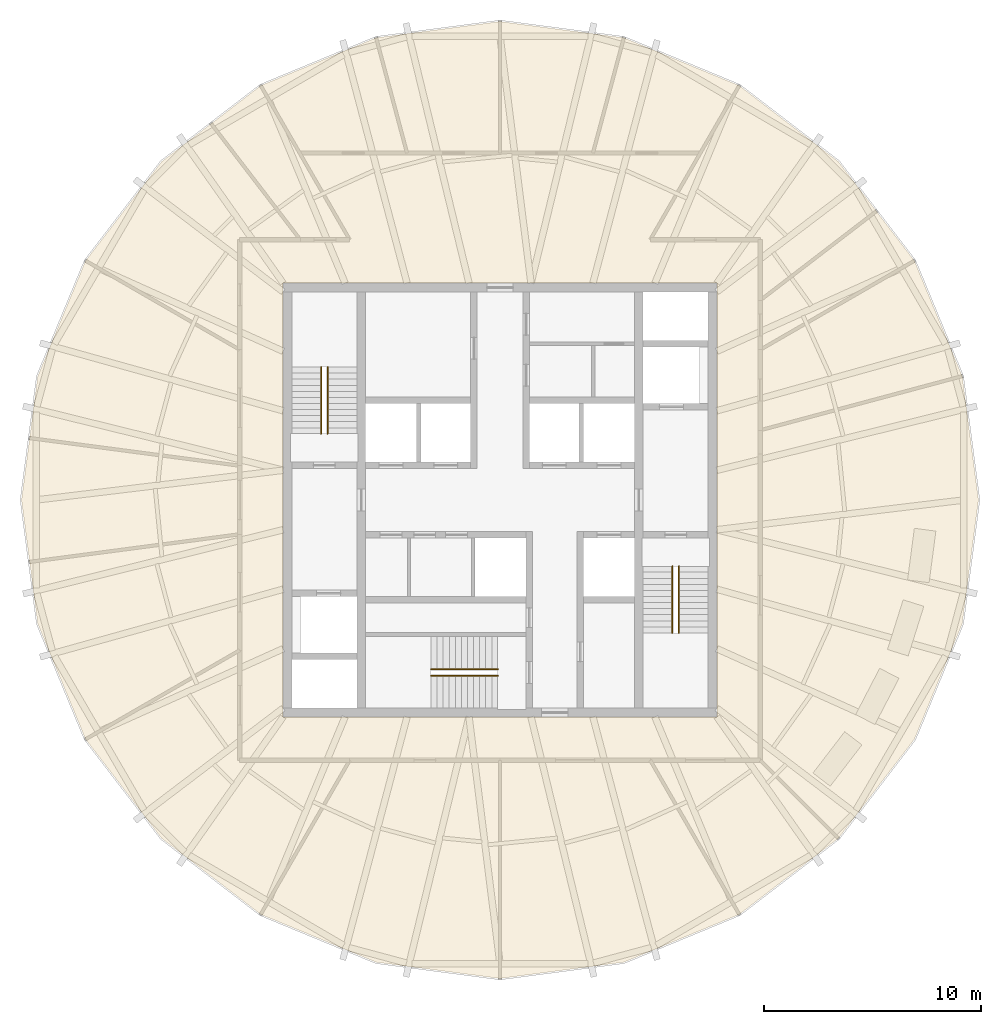
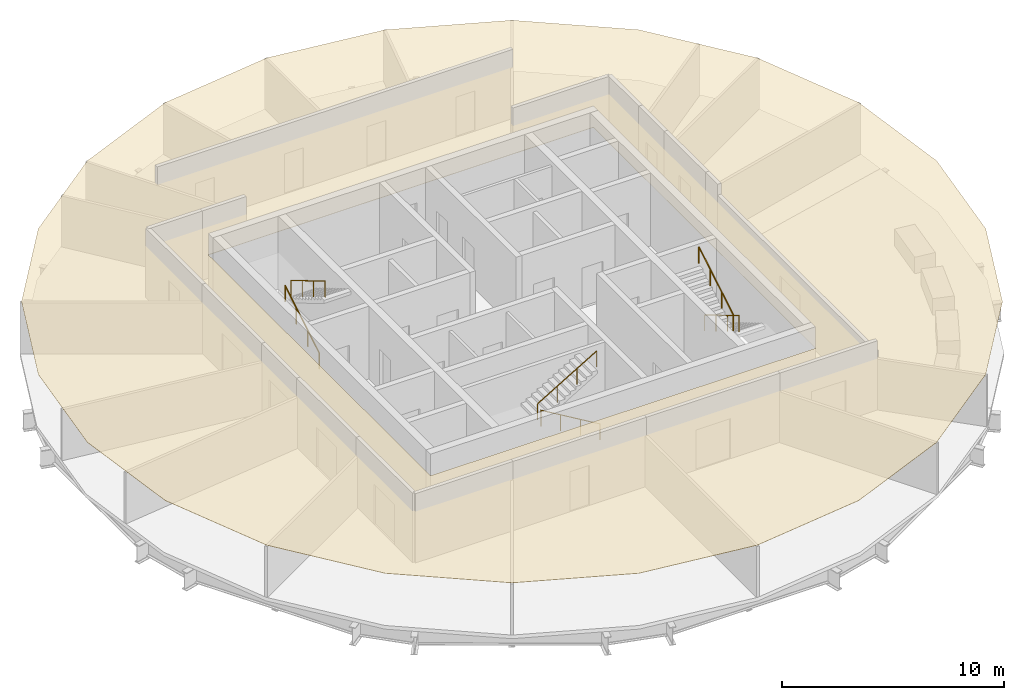
# One storey, part 6 of 7: 6 railings, 1 covering.
"""IFC4 building model written with IfcOpenShell, lengths in metres."""

from ifc_helpers import new_model, si_unit, direction, frame, origin, origin_2d, place, context, subcontext, project, spatial, polyline, circle, outline, extrude, material, layer, layer_set, type_object, element, save


model = new_model("IFC4")

# Units and contexts
model_context = context("Model", 3, precision=1e-05, world=origin(), true_north=direction((0.0, 1.0)))
body_context = subcontext(model_context, "Body", "Model", "MODEL_VIEW")
ifc_project = project(units=[si_unit("LENGTHUNIT", "METRE"), si_unit("AREAUNIT", "SQUARE_METRE"), si_unit("VOLUMEUNIT", "CUBIC_METRE"), si_unit("PLANEANGLEUNIT", "RADIAN"), si_unit("MASSUNIT", "GRAM", prefix="KILO")], contexts=[model_context])

# Site, building, storey
site_placement = place(None, origin())
site = spatial("IfcSite", under=ifc_project, at=site_placement, CompositionType="ELEMENT")
building_placement = place(site_placement, origin())
building = spatial("IfcBuilding", under=site, at=building_placement, Name="Golbaran Civic Tower", CompositionType="ELEMENT")
storey_placement = place(building_placement, frame((0.0, 0.0, 260.0)))
storey = spatial("IfcBuildingStorey", under=building, at=storey_placement, Name="L63", CompositionType="ELEMENT", Elevation=260.0)

# Railings
ifc_material_1 = material(Name="Stainless steel", Category="steel")
railing_type = type_object("IfcRailingType", Name="STAIR HANDRAIL 900", PredefinedType="HANDRAIL", material=ifc_material_1)
railing_1_placement = place(storey_placement, frame((-8.25, 3.050048828125, 0.166748046875)))
element("IfcRailing", 1, at=railing_1_placement, inside=storey, type_object=railing_type, Name="Stair S1 handrail flight 1 L63", PredefinedType="HANDRAIL", context=body_context, shape_type="SweptSolid", body=[
    extrude(circle(Radius=0.02392578125, at=origin_2d()), frame((0.0, 0.0, 0.8759765625), z_axis=(0.0, 0.859290745958, 0.51148745235), x_axis=(-1.0, 0.0, 0.0)), (0.0, 0.0, 1.0), 3.584228515625),
    extrude(circle(Radius=0.02099609375, at=origin_2d()), origin(), (0.0, 0.0, 1.0), 0.851806640625),
    extrude(circle(Radius=0.02099609375, at=origin_2d()), frame((0.0, 1.026611328125, 0.611083984375)), (0.0, 0.0, 1.0), 0.851806640625),
    extrude(circle(Radius=0.02099609375, at=origin_2d()), frame((0.0, 2.05322265625, 1.22216796875)), (0.0, 0.0, 1.0), 0.851806640625),
    extrude(circle(Radius=0.02099609375, at=origin_2d()), frame((0.0, 3.079833984375, 1.833251953125)), (0.0, 0.0, 1.0), 0.851806640625),
])
for number, where, name in (
    (2, (-7.949951171875, 6.1298828125, 2.166748046875), "Stair S1 handrail flight 2 L63"),
    (3, (8.25, -3.050048828125, 0.166748046875), "Stair S2 handrail flight 1 L63"),
):
    element("IfcRailing", number, at=place(storey_placement, frame(where)), inside=storey, type_object=railing_type, Name=name, PredefinedType="HANDRAIL", context=body_context, shape_type="SweptSolid", body=[
        extrude(circle(Radius=0.02392578125, at=origin_2d()), frame((0.0, 0.0, 0.8759765625), z_axis=(0.0, -0.859290745958, 0.51148745235), x_axis=(1.0, 0.0, 0.0)), (0.0, 0.0, 1.0), 3.584228515625),
        extrude(circle(Radius=0.02099609375, at=origin_2d()), origin(), (0.0, 0.0, 1.0), 0.851806640625),
        extrude(circle(Radius=0.02099609375, at=origin_2d()), frame((0.0, -1.026611328125, 0.611083984375)), (0.0, 0.0, 1.0), 0.851806640625),
        extrude(circle(Radius=0.02099609375, at=origin_2d()), frame((0.0, -2.05322265625, 1.22216796875)), (0.0, 0.0, 1.0), 0.851806640625),
        extrude(circle(Radius=0.02099609375, at=origin_2d()), frame((0.0, -3.079833984375, 1.833251953125)), (0.0, 0.0, 1.0), 0.851806640625),
    ])
railing_2_placement = place(storey_placement, frame((7.949951171875, -6.1298828125, 2.166748046875)))
element("IfcRailing", 4, at=railing_2_placement, inside=storey, type_object=railing_type, Name="Stair S2 handrail flight 2 L63", PredefinedType="HANDRAIL", context=body_context, shape_type="SweptSolid", body=[
    extrude(circle(Radius=0.02392578125, at=origin_2d()), frame((0.0, 0.0, 0.8759765625), z_axis=(0.0, 0.859290745958, 0.51148745235), x_axis=(-1.0, 0.0, 0.0)), (0.0, 0.0, 1.0), 3.584228515625),
    extrude(circle(Radius=0.02099609375, at=origin_2d()), origin(), (0.0, 0.0, 1.0), 0.851806640625),
    extrude(circle(Radius=0.02099609375, at=origin_2d()), frame((0.0, 1.026611328125, 0.611083984375)), (0.0, 0.0, 1.0), 0.851806640625),
    extrude(circle(Radius=0.02099609375, at=origin_2d()), frame((0.0, 2.05322265625, 1.22216796875)), (0.0, 0.0, 1.0), 0.851806640625),
    extrude(circle(Radius=0.02099609375, at=origin_2d()), frame((0.0, 3.079833984375, 1.833251953125)), (0.0, 0.0, 1.0), 0.851806640625),
])
railing_3_placement = place(storey_placement, frame((-0.10009765625, -8.10009765625, 0.166748046875)))
element("IfcRailing", 5, at=railing_3_placement, inside=storey, type_object=railing_type, Name="Stair S3 handrail flight 1 L63", PredefinedType="HANDRAIL", context=body_context, shape_type="SweptSolid", body=[
    extrude(circle(Radius=0.02392578125, at=origin_2d()), frame((0.0, 0.0, 0.8759765625), z_axis=(-0.859290745958, 0.0, 0.51148745235), x_axis=(0.0, -1.0, 0.0)), (0.0, 0.0, 1.0), 3.584228515625),
    extrude(circle(Radius=0.02099609375, at=origin_2d()), origin(), (0.0, 0.0, 1.0), 0.851806640625),
    extrude(circle(Radius=0.02099609375, at=origin_2d()), frame((-1.026611328125, 0.0, 0.611083984375)), (0.0, 0.0, 1.0), 0.851806640625),
    extrude(circle(Radius=0.02099609375, at=origin_2d()), frame((-2.05322265625, 0.0, 1.22216796875)), (0.0, 0.0, 1.0), 0.851806640625),
    extrude(circle(Radius=0.02099609375, at=origin_2d()), frame((-3.079833984375, 0.0, 1.833251953125)), (0.0, 0.0, 1.0), 0.851806640625),
])
railing_4_placement = place(storey_placement, frame((-3.179931640625, -7.800048828125, 2.166748046875)))
element("IfcRailing", 6, at=railing_4_placement, inside=storey, type_object=railing_type, Name="Stair S3 handrail flight 2 L63", PredefinedType="HANDRAIL", context=body_context, shape_type="SweptSolid", body=[
    extrude(circle(Radius=0.02392578125, at=origin_2d()), frame((0.0, 0.0, 0.8759765625), z_axis=(0.859290745958, 0.0, 0.51148745235), x_axis=(0.0, 1.0, 0.0)), (0.0, 0.0, 1.0), 3.584228515625),
    extrude(circle(Radius=0.02099609375, at=origin_2d()), origin(), (0.0, 0.0, 1.0), 0.851806640625),
    extrude(circle(Radius=0.02099609375, at=origin_2d()), frame((1.026611328125, 0.0, 0.611083984375)), (0.0, 0.0, 1.0), 0.851806640625),
    extrude(circle(Radius=0.02099609375, at=origin_2d()), frame((2.05322265625, 0.0, 1.22216796875)), (0.0, 0.0, 1.0), 0.851806640625),
    extrude(circle(Radius=0.02099609375, at=origin_2d()), frame((3.079833984375, 0.0, 1.833251953125)), (0.0, 0.0, 1.0), 0.851806640625),
])

# Covering
ifc_material_2 = material(Name="Mineral fibre tile on steel grid", Category="steel")
ifc_layer = layer(ifc_material_2, 0.02001953125, Name="Mineral fibre tile on steel grid")
ifc_layer_set = layer_set([ifc_layer], Name="Mineral fibre tile on steel grid")
covering_type = type_object("IfcCoveringType", Name="SUSPENDED CEILING 600 TILE 20", PredefinedType="CEILING", material=ifc_layer_set)
covering_placement = place(storey_placement, frame((0.0, 0.0, 2.800048828125)))
element("IfcCovering", 7, at=covering_placement, inside=storey, type_object=covering_type, Name="Suspended ceiling L63", PredefinedType="CEILING", context=body_context, shape_type="SweptSolid", body=[
    extrude(outline(polyline([(-19.107177734375, 11.031494140625), (-15.600830078125, 15.600830078125), (-11.031494140625, 19.107177734375), (-5.710205078125, 21.311279296875), (0.0, 22.06298828125), (5.710205078125, 21.311279296875), (11.031494140625, 19.107177734375), (15.600830078125, 15.600830078125), (19.107177734375, 11.031494140625), (21.311279296875, 5.710205078125), (22.06298828125, 0.0), (21.311279296875, -5.710205078125), (19.107177734375, -11.031494140625), (15.600830078125, -15.600830078125), (11.031494140625, -19.107177734375), (5.710205078125, -21.311279296875), (0.0, -22.06298828125), (-5.710205078125, -21.311279296875), (-11.031494140625, -19.107177734375), (-15.600830078125, -15.600830078125), (-19.107177734375, -11.031494140625), (-21.311279296875, -5.710205078125), (-21.66748046875, -3.00390625), (-22.06298828125, 0.0), (-21.311279296875, 5.710205078125), (-19.107177734375, 11.031494140625)]), holes=[polyline([(-10.0, 10.0), (-10.0, -10.0), (10.0, -10.0), (10.0, 10.0), (-10.0, 10.0)])]), origin(), (0.0, 0.0, 1.0), 0.02001953125),
])

save(model, "model.ifc")
